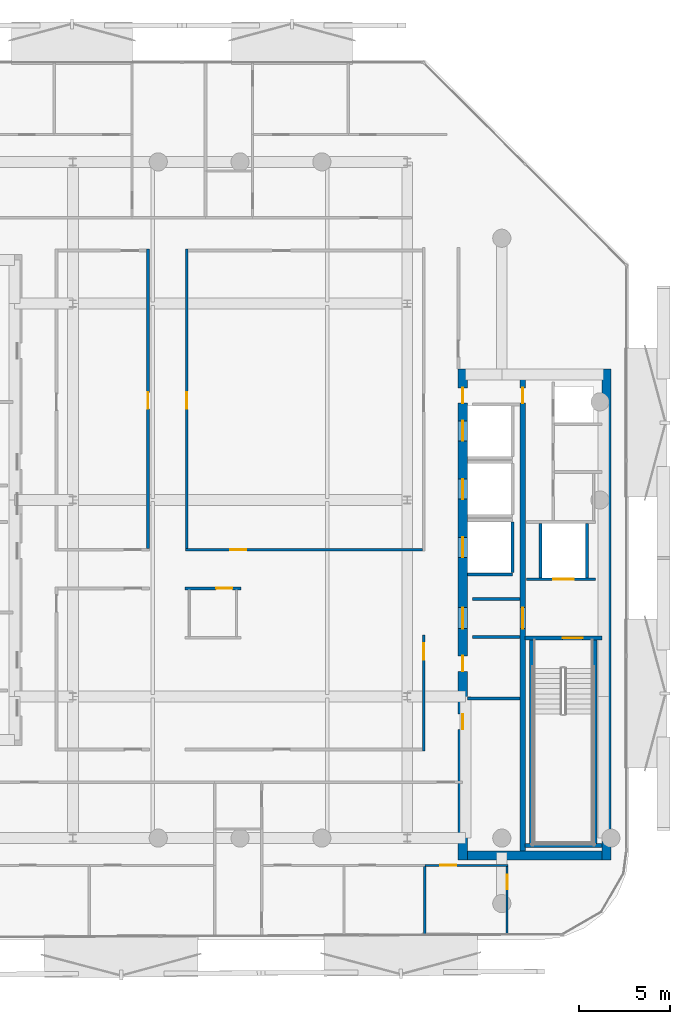
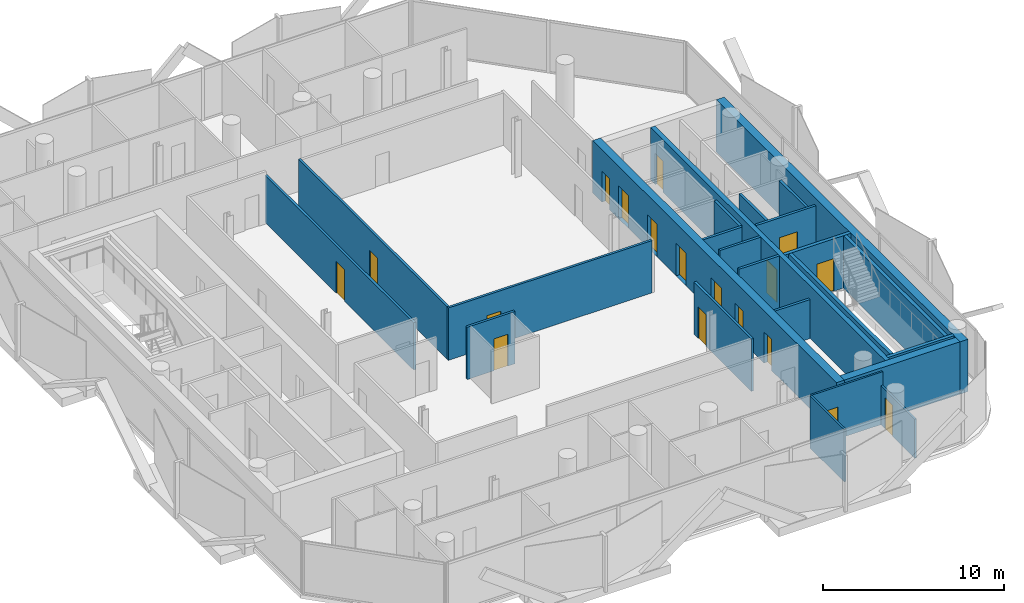
# One storey, part 6 of 15: 24 walls, 18 doors, 18 openings.
"""IFC4 building model written with IfcOpenShell, lengths in metres."""

from ifc_helpers import new_model, si_unit, direction, frame, frame_2d, origin, place, context, subcontext, project, spatial, rectangle, extrude, material, layer, layer_set, type_object, element, fill, save


model = new_model("IFC4")

# Units and contexts
model_context = context("Model", 3, precision=1e-05, world=origin(), true_north=direction((0.0, 1.0)))
body_context = subcontext(model_context, "Body", "Model", "MODEL_VIEW")
ifc_project = project(units=[si_unit("LENGTHUNIT", "METRE"), si_unit("AREAUNIT", "SQUARE_METRE"), si_unit("VOLUMEUNIT", "CUBIC_METRE"), si_unit("PLANEANGLEUNIT", "RADIAN"), si_unit("MASSUNIT", "GRAM", prefix="KILO")], contexts=[model_context])

# Site, building, storey
site_placement = place(None, origin())
site = spatial("IfcSite", under=ifc_project, at=site_placement, CompositionType="ELEMENT")
building_placement = place(site_placement, origin())
building = spatial("IfcBuilding", under=site, at=building_placement, Name="Khairoan Windgate Tower", CompositionType="ELEMENT")
storey_placement = place(building_placement, frame((0.0, 0.0, 285.199951171875)))
storey = spatial("IfcBuildingStorey", under=building, at=storey_placement, Name="L68", CompositionType="ELEMENT", Elevation=285.199951171875)

# Walls
ifc_material_1 = material(Name="Concrete C40/50", Category="concrete")
ifc_layer_1 = layer(ifc_material_1, 0.159912109375, Name="Concrete C40/50")
ifc_layer_set_1 = layer_set([ifc_layer_1], Name="Concrete C40/50")
wall_type_1 = type_object("IfcWallType", Name="Core and Hoistway Enclosure Wall", PredefinedType="STANDARD", material=ifc_layer_set_1)
wall_1_placement = place(storey_placement, frame((12.5, -4.090087890625, 0.0), z_axis=(0.0, 0.0, 1.0), x_axis=(1.0, 0.0, 0.0)))
element("IfcWall", 1, at=wall_1_placement, inside=storey, type_object=wall_type_1, Name="L68 Lift PL9 Hoistway Divider S", PredefinedType="STANDARD", context=body_context, shape_type="SweptSolid", body=[
    extrude(rectangle(XDim=2.489990234375, YDim=0.159912109375, at=frame_2d((1.2451171875, 0.0))), origin(), (0.0, 0.0, 1.0), 3.5400390625),
])
wall_2_placement = place(storey_placement, frame((14.989990234375, -4.0, 0.0), z_axis=(0.0, 0.0, 1.0), x_axis=(0.0, 1.0, 0.0)))
element("IfcWall", 2, at=wall_2_placement, inside=storey, type_object=wall_type_1, Name="L68 Lift PL9 Hoistway Back Wall", PredefinedType="STANDARD", context=body_context, shape_type="SweptSolid", body=[
    extrude(rectangle(XDim=2.800048828125, YDim=0.159912109375, at=frame_2d((1.39990234375, 0.0))), origin(), (0.0, 0.0, 1.0), 3.5400390625),
])

# Wall, opening, door
wall_3_placement = place(storey_placement, frame((15.75, -4.360107421875, 0.0), z_axis=(0.0, 0.0, 1.0), x_axis=(1.0, 0.0, 0.0)))
wall_3 = element("IfcWall", 3, at=wall_3_placement, inside=storey, type_object=wall_type_1, Name="L68 Core Shaft Wall SW-FL1-L68", PredefinedType="STANDARD", context=body_context, shape_type="SweptSolid", body=[
    extrude(rectangle(XDim=3.800048828125, YDim=0.159912109375, at=frame_2d((1.89990234375, 0.0))), origin(), (0.0, 0.0, 1.0), 3.5400390625),
])
opening_1_placement = place(wall_3_placement, frame((1.469970703125, 0.0, 0.0)))
opening_1 = element("IfcOpeningElement", 4, at=opening_1_placement, cuts=wall_3, Name="Opening LD-FL", PredefinedType="OPENING", context=body_context, shape_type="SweptSolid", body=[
    extrude(rectangle(XDim=1.14990234375, YDim=2.199951171875, at=frame_2d((0.574951171875, 1.10009765625))), frame((0.0, 0.08984375, 0.0), z_axis=(0.0, -1.0, 0.0), x_axis=(1.0, 0.0, 0.0)), (0.0, 0.0, 1.0), 0.179931640625),
])
ifc_material_2 = material(Name="Steel S355", Category="steel")
door_type_1 = type_object("IfcDoorType", Name="Firefighting Lift Sliding Landing Door LD-FL 1150x2200", OperationType="DOUBLE_DOOR_SLIDING", PredefinedType="DOOR", material=ifc_material_2)
door_1_placement = place(opening_1_placement, origin())
door_1 = element("IfcDoor", 5, at=door_1_placement, inside=storey, type_object=door_type_1, Name="L68 Firefighting Lift FL1 Landing Door", OperationType="DOUBLE_DOOR_SLIDING", OverallHeight=2.199951171875, OverallWidth=1.14990234375, PredefinedType="DOOR", context=body_context, shape_type="SweptSolid", body=[
    extrude(rectangle(XDim=1.14990234375, YDim=2.199951171875, at=frame_2d((0.574951171875, 1.10009765625))), frame((0.0, 0.02490234375, 0.0), z_axis=(0.0, -1.0, 0.0), x_axis=(1.0, 0.0, 0.0)), (0.0, 0.0, 1.0), 0.050048828125),
])
fill(opening_1, door_1)

# Walls
for number, where, z_axis, x_axis, name in (
    (6, (16.52001953125, -4.280029296875, 0.0), (0.0, 0.0, 1.0), (0.0, 1.0, 0.0), "L68 Core Shaft Wall SW-FL1W-L68"),
    (7, (19.080078125, -4.280029296875, 0.0), (0.0, 0.0, 1.0), (0.0, 1.0, 0.0), "L68 Core Shaft Wall SW-FL1E-L68"),
):
    element("IfcWall", number, at=place(storey_placement, frame(where, z_axis=z_axis, x_axis=x_axis)), inside=storey, type_object=wall_type_1, Name=name, PredefinedType="STANDARD", context=body_context, shape_type="SweptSolid", body=[
        extrude(rectangle(XDim=2.97998046875, YDim=0.159912109375, at=frame_2d((1.489990234375, 0.0))), origin(), (0.0, 0.0, 1.0), 3.5400390625),
    ])
for number, where, z_axis, x_axis, name in (
    (8, (12.800048828125, -5.449951171875, 0.0), (0.0, 0.0, 1.0), (1.0, 0.0, 0.0), "L68 Core Shaft Wall SW-EV1-L68"),
    (9, (12.800048828125, -7.5400390625, 0.0), (0.0, 0.0, 1.0), (1.0, 0.0, 0.0), "L68 Core Shaft Wall SW-EV2-L68"),
):
    element("IfcWall", number, at=place(storey_placement, frame(where, z_axis=z_axis, x_axis=x_axis)), inside=storey, type_object=wall_type_1, Name=name, PredefinedType="STANDARD", context=body_context, shape_type="SweptSolid", body=[
        extrude(rectangle(XDim=2.599853515625, YDim=0.159912109375, at=frame_2d((1.2998046875, 0.0))), origin(), (0.0, 0.0, 1.0), 3.5400390625),
    ])

# Wall, opening, door
ifc_material_3 = material(Name="Gypsum Stud Partition", Category="gypsum")
ifc_layer_2 = layer(ifc_material_3, 0.1201171875, Name="Gypsum Stud Partition")
ifc_layer_set_2 = layer_set([ifc_layer_2], Name="Gypsum Stud Partition")
wall_type_2 = type_object("IfcWallType", Name="Internal Room Partition Wall", PredefinedType="PARTITIONING", material=ifc_layer_set_2)
wall_4_placement = place(storey_placement, frame((10.1630859375, -20.10009765625, 0.0), z_axis=(0.0, 0.0, 1.0), x_axis=(1.0, 0.0, 0.0)))
wall_4 = element("IfcWall", 10, at=wall_4_placement, inside=storey, type_object=wall_type_2, Name="L68 Interior Partition 072", PredefinedType="PARTITIONING", context=body_context, shape_type="SweptSolid", body=[
    extrude(rectangle(XDim=4.5869140625, YDim=0.1201171875, at=frame_2d((2.29345703125, 0.0))), origin(), (0.0, 0.0, 1.0), 3.5400390625),
])
opening_2_placement = place(wall_4_placement, frame((0.861083984375, 0.0, 0.0)))
opening_2 = element("IfcOpeningElement", 11, at=opening_2_placement, cuts=wall_4, Name="Opening ID-RM", PredefinedType="OPENING", context=body_context, shape_type="SweptSolid", body=[
    extrude(rectangle(XDim=0.860107421875, YDim=2.14990234375, at=frame_2d((0.43017578125, 1.074951171875))), frame((0.0, 0.070068359375, 0.0), z_axis=(0.0, -1.0, 0.0), x_axis=(1.0, 0.0, 0.0)), (0.0, 0.0, 1.0), 0.14013671875),
])
ifc_material_4 = material(Name="Teak Veneer Timber Leaf", Category="wood")
door_type_2 = type_object("IfcDoorType", Name="Internal Bedroom and Office Door ID-RM 860x2150", OperationType="NOTDEFINED", PredefinedType="DOOR", material=ifc_material_4)
door_2_placement = place(opening_2_placement, origin())
door_2 = element("IfcDoor", 12, at=door_2_placement, inside=storey, type_object=door_type_2, Name="L68 L68-52-L68-56 Door", OperationType="SINGLE_SWING_RIGHT", OverallHeight=2.14990234375, OverallWidth=0.860107421875, PredefinedType="DOOR", context=body_context, shape_type="SweptSolid", body=[
    extrude(rectangle(XDim=0.860107421875, YDim=2.14990234375, at=frame_2d((0.43017578125, 1.074951171875))), frame((0.0, 0.02490234375, 0.0), z_axis=(0.0, -1.0, 0.0), x_axis=(1.0, 0.0, 0.0)), (0.0, 0.0, 1.0), 0.050048828125),
])
fill(opening_2, door_2)

wall_5_placement = place(storey_placement, frame((14.68994140625, -23.906494140625, 0.0), z_axis=(0.0, 0.0, 1.0), x_axis=(0.0, 1.0, 0.0)))
wall_5 = element("IfcWall", 13, at=wall_5_placement, inside=storey, type_object=wall_type_2, Name="L68 Interior Partition 073", PredefinedType="PARTITIONING", context=body_context, shape_type="SweptSolid", body=[
    extrude(rectangle(XDim=3.74658203125, YDim=0.1201171875, at=frame_2d((1.873291015625, 0.0))), origin(), (0.0, 0.0, 1.0), 2.64013671875),
])
opening_3_placement = place(wall_5_placement, frame((2.486572265625, 0.0, 0.0)))
opening_3 = element("IfcOpeningElement", 14, at=opening_3_placement, cuts=wall_5, Name="Opening ID-BTH", PredefinedType="OPENING", context=body_context, shape_type="SweptSolid", body=[
    extrude(rectangle(XDim=0.800048828125, YDim=2.10009765625, at=frame_2d((0.39990234375, 1.050048828125))), frame((0.0, 0.070068359375, 0.0), z_axis=(0.0, -1.0, 0.0), x_axis=(1.0, 0.0, 0.0)), (0.0, 0.0, 1.0), 0.14013671875),
])
ifc_material_5 = material(Name="Teak Veneer Timber Leaf", Category="wood")
door_type_3 = type_object("IfcDoorType", Name="Internal Bathroom Door ID-BTH 800x2100", OperationType="NOTDEFINED", PredefinedType="DOOR", material=ifc_material_5)
door_3_placement = place(opening_3_placement, origin())
door_3 = element("IfcDoor", 15, at=door_3_placement, inside=storey, type_object=door_type_3, Name="L68 L68-53-L68-56 Door", OperationType="SINGLE_SWING_RIGHT", OverallHeight=2.10009765625, OverallWidth=0.800048828125, PredefinedType="DOOR", context=body_context, shape_type="SweptSolid", body=[
    extrude(rectangle(XDim=0.800048828125, YDim=2.10009765625, at=frame_2d((0.39990234375, 1.050048828125))), frame((0.0, 0.02490234375, 0.0), z_axis=(0.0, -1.0, 0.0), x_axis=(1.0, 0.0, 0.0)), (0.0, 0.0, 1.0), 0.050048828125),
])
fill(opening_3, door_3)

# Walls
wall_6_placement = place(storey_placement, frame((10.1630859375, -23.928955078125, 0.0), z_axis=(0.0, 0.0, 1.0), x_axis=(0.0, 1.0, 0.0)))
element("IfcWall", 16, at=wall_6_placement, inside=storey, type_object=wall_type_2, Name="L68 Interior Partition 075", PredefinedType="PARTITIONING", context=body_context, shape_type="SweptSolid", body=[
    extrude(rectangle(XDim=3.76904296875, YDim=0.1201171875, at=frame_2d((1.884521484375, 0.0))), origin(), (0.0, 0.0, 1.0), 3.5400390625),
])
ifc_material_6 = material(Name="Concrete C40/50", Category="concrete")
ifc_layer_3 = layer(ifc_material_6, 0.159912109375, Name="Concrete C40/50")
ifc_layer_set_3 = layer_set([ifc_layer_3], Name="Concrete C40/50")
wall_type_3 = type_object("IfcWallType", Name="Plant and Refuge Compartment Wall", PredefinedType="PARTITIONING", material=ifc_layer_set_3)
wall_7_placement = place(storey_placement, frame((12.5, -10.919921875, 0.0), z_axis=(0.0, 0.0, 1.0), x_axis=(1.0, 0.0, 0.0)))
element("IfcWall", 17, at=wall_7_placement, inside=storey, type_object=wall_type_3, Name="L68 Interior Partition 011", PredefinedType="PARTITIONING", context=body_context, shape_type="SweptSolid", body=[
    extrude(rectangle(XDim=2.89990234375, YDim=0.159912109375, at=frame_2d((1.449951171875, 0.0))), origin(), (0.0, 0.0, 1.0), 2.64013671875),
])

# Wall, opening, door
ifc_material_7 = material(Name="Acoustic Fire-Rated Gypsum Partition", Category="gypsum")
ifc_layer_4 = layer(ifc_material_7, 0.14990234375, Name="Acoustic Fire-Rated Gypsum Partition")
ifc_layer_set_4 = layer_set([ifc_layer_4], Name="Acoustic Fire-Rated Gypsum Partition")
wall_type_4 = type_object("IfcWallType", Name="Rated Corridor Partition Wall", PredefinedType="PARTITIONING", material=ifc_layer_set_4)
wall_8_placement = place(storey_placement, frame((10.10009765625, -13.794921875, 0.0), z_axis=(0.0, 0.0, 1.0), x_axis=(0.0, 1.0, 0.0)))
wall_8 = element("IfcWall", 18, at=wall_8_placement, inside=storey, type_object=wall_type_4, Name="L68 Interior Partition 016", PredefinedType="PARTITIONING", context=body_context, shape_type="SweptSolid", body=[
    extrude(rectangle(XDim=6.375, YDim=0.14990234375, at=frame_2d((3.1875, 0.0))), origin(), (0.0, 0.0, 1.0), 3.5400390625),
])
opening_4_placement = place(wall_8_placement, frame((5.014892578125, 0.0, 0.0)))
opening_4 = element("IfcOpeningElement", 19, at=opening_4_placement, cuts=wall_8, Name="Opening FD-ENT", PredefinedType="OPENING", context=body_context, shape_type="SweptSolid", body=[
    extrude(rectangle(XDim=0.89990234375, YDim=2.14990234375, at=frame_2d((0.449951171875, 1.074951171875))), frame((0.0, 0.0849609375, 0.0), z_axis=(0.0, -1.0, 0.0), x_axis=(1.0, 0.0, 0.0)), (0.0, 0.0, 1.0), 0.169921875),
])
ifc_material_8 = material(Name="Timber Fire-Rated Core", Category="wood")
door_type_4 = type_object("IfcDoorType", Name="Unit and Office Fire Entrance Door FD-ENT 900x2150", OperationType="NOTDEFINED", PredefinedType="DOOR", material=ifc_material_8)
door_4_placement = place(opening_4_placement, origin())
door_4 = element("IfcDoor", 20, at=door_4_placement, inside=storey, type_object=door_type_4, Name="L68 L68-28-L68-62 Door", OperationType="SINGLE_SWING_LEFT", OverallHeight=2.14990234375, OverallWidth=0.89990234375, PredefinedType="DOOR", context=body_context, shape_type="SweptSolid", body=[
    extrude(rectangle(XDim=0.89990234375, YDim=2.14990234375, at=frame_2d((0.449951171875, 1.074951171875))), frame((0.0, 0.02490234375, 0.0), z_axis=(0.0, -1.0, 0.0), x_axis=(1.0, 0.0, 0.0)), (0.0, 0.0, 1.0), 0.050048828125),
])
fill(opening_4, door_4)

wall_9_placement = place(storey_placement, frame((-3.010009765625, -2.735107421875, 0.0), z_axis=(0.0, 0.0, 1.0), x_axis=(1.0, 0.0, 0.0)))
wall_9 = element("IfcWall", 21, at=wall_9_placement, inside=storey, type_object=wall_type_4, Name="L68 Interior Partition 019", PredefinedType="PARTITIONING", context=body_context, shape_type="SweptSolid", body=[
    extrude(rectangle(XDim=13.034912109375, YDim=0.14990234375, at=frame_2d((6.517578125, 0.0))), origin(), (0.0, 0.0, 1.0), 3.5400390625),
])
opening_5_placement = place(wall_9_placement, frame((2.462646484375, 0.0, 0.0)))
opening_5 = element("IfcOpeningElement", 22, at=opening_5_placement, cuts=wall_9, Name="Opening FD-ENT", PredefinedType="OPENING", context=body_context, shape_type="SweptSolid", body=[
    extrude(rectangle(XDim=0.89990234375, YDim=2.14990234375, at=frame_2d((0.449951171875, 1.074951171875))), frame((0.0, 0.0849609375, 0.0), z_axis=(0.0, -1.0, 0.0), x_axis=(1.0, 0.0, 0.0)), (0.0, 0.0, 1.0), 0.169921875),
])
door_5_placement = place(opening_5_placement, origin())
door_5 = element("IfcDoor", 23, at=door_5_placement, inside=storey, type_object=door_type_4, Name="L68 L68-29-L68-60 Door", OperationType="SINGLE_SWING_RIGHT", OverallHeight=2.14990234375, OverallWidth=0.89990234375, PredefinedType="DOOR", context=body_context, shape_type="SweptSolid", body=[
    extrude(rectangle(XDim=0.89990234375, YDim=2.14990234375, at=frame_2d((0.449951171875, 1.074951171875))), frame((0.0, 0.02490234375, 0.0), z_axis=(0.0, -1.0, 0.0), x_axis=(1.0, 0.0, 0.0)), (0.0, 0.0, 1.0), 0.050048828125),
])
fill(opening_5, door_5)

wall_10_placement = place(storey_placement, frame((-3.030029296875, -4.864990234375, 0.0), z_axis=(0.0, 0.0, 1.0), x_axis=(1.0, 0.0, 0.0)))
wall_10 = element("IfcWall", 24, at=wall_10_placement, inside=storey, type_object=wall_type_4, Name="L68 Interior Partition 020", PredefinedType="PARTITIONING", context=body_context, shape_type="SweptSolid", body=[
    extrude(rectangle(XDim=3.070068359375, YDim=0.14990234375, at=frame_2d((1.53515625, 0.0))), origin(), (0.0, 0.0, 1.0), 3.5400390625),
])
opening_6_placement = place(wall_10_placement, frame((1.7099609375, 0.0, 0.0)))
opening_6 = element("IfcOpeningElement", 25, at=opening_6_placement, cuts=wall_10, Name="Opening FD-ENT", PredefinedType="OPENING", context=body_context, shape_type="SweptSolid", body=[
    extrude(rectangle(XDim=0.89990234375, YDim=2.14990234375, at=frame_2d((0.449951171875, 1.074951171875))), frame((0.0, 0.0849609375, 0.0), z_axis=(0.0, -1.0, 0.0), x_axis=(1.0, 0.0, 0.0)), (0.0, 0.0, 1.0), 0.169921875),
])
door_6_placement = place(opening_6_placement, origin())
door_6 = element("IfcDoor", 26, at=door_6_placement, inside=storey, type_object=door_type_4, Name="L68 L68-29-L68-61 Door", OperationType="SINGLE_SWING_LEFT", OverallHeight=2.14990234375, OverallWidth=0.89990234375, PredefinedType="DOOR", context=body_context, shape_type="SweptSolid", body=[
    extrude(rectangle(XDim=0.89990234375, YDim=2.14990234375, at=frame_2d((0.449951171875, 1.074951171875))), frame((0.0, 0.02490234375, 0.0), z_axis=(0.0, -1.0, 0.0), x_axis=(1.0, 0.0, 0.0)), (0.0, 0.0, 1.0), 0.050048828125),
])
fill(opening_6, door_6)

wall_11_placement = place(storey_placement, frame((-5.06494140625, -2.659912109375, 0.0), z_axis=(0.0, 0.0, 1.0), x_axis=(0.0, 1.0, 0.0)))
wall_11 = element("IfcWall", 27, at=wall_11_placement, inside=storey, type_object=wall_type_4, Name="L68 Interior Partition 021", PredefinedType="PARTITIONING", context=body_context, shape_type="SweptSolid", body=[
    extrude(rectangle(XDim=16.454833984375, YDim=0.14990234375, at=frame_2d((8.2275390625, 0.0))), origin(), (0.0, 0.0, 1.0), 3.18994140625),
])
opening_7_placement = place(wall_11_placement, frame((7.67724609375, 0.0, 0.0)))
opening_7 = element("IfcOpeningElement", 28, at=opening_7_placement, cuts=wall_11, Name="Opening FD-ENT", PredefinedType="OPENING", context=body_context, shape_type="SweptSolid", body=[
    extrude(rectangle(XDim=0.89990234375, YDim=2.14990234375, at=frame_2d((0.449951171875, 1.074951171875))), frame((0.0, 0.0849609375, 0.0), z_axis=(0.0, -1.0, 0.0), x_axis=(1.0, 0.0, 0.0)), (0.0, 0.0, 1.0), 0.169921875),
])
door_7_placement = place(opening_7_placement, origin())
door_7 = element("IfcDoor", 29, at=door_7_placement, inside=storey, type_object=door_type_4, Name="L68 L68-30-L68-58 Door", OperationType="SINGLE_SWING_RIGHT", OverallHeight=2.14990234375, OverallWidth=0.89990234375, PredefinedType="DOOR", context=body_context, shape_type="SweptSolid", body=[
    extrude(rectangle(XDim=0.89990234375, YDim=2.14990234375, at=frame_2d((0.449951171875, 1.074951171875))), frame((0.0, 0.02490234375, 0.0), z_axis=(0.0, -1.0, 0.0), x_axis=(1.0, 0.0, 0.0)), (0.0, 0.0, 1.0), 0.050048828125),
])
fill(opening_7, door_7)

wall_12_placement = place(storey_placement, frame((-2.93505859375, -2.659912109375, 0.0), z_axis=(0.0, 0.0, 1.0), x_axis=(0.0, 1.0, 0.0)))
wall_12 = element("IfcWall", 30, at=wall_12_placement, inside=storey, type_object=wall_type_4, Name="L68 Interior Partition 022", PredefinedType="PARTITIONING", context=body_context, shape_type="SweptSolid", body=[
    extrude(rectangle(XDim=16.454833984375, YDim=0.14990234375, at=frame_2d((8.2275390625, 0.0))), origin(), (0.0, 0.0, 1.0), 3.5400390625),
])
opening_8_placement = place(wall_12_placement, frame((7.67724609375, 0.0, 0.0)))
opening_8 = element("IfcOpeningElement", 31, at=opening_8_placement, cuts=wall_12, Name="Opening FD-ENT", PredefinedType="OPENING", context=body_context, shape_type="SweptSolid", body=[
    extrude(rectangle(XDim=0.89990234375, YDim=2.14990234375, at=frame_2d((0.449951171875, 1.074951171875))), frame((0.0, 0.0849609375, 0.0), z_axis=(0.0, -1.0, 0.0), x_axis=(1.0, 0.0, 0.0)), (0.0, 0.0, 1.0), 0.169921875),
])
door_8_placement = place(opening_8_placement, origin())
door_8 = element("IfcDoor", 32, at=door_8_placement, inside=storey, type_object=door_type_4, Name="L68 L68-30-L68-60 Door", OperationType="SINGLE_SWING_LEFT", OverallHeight=2.14990234375, OverallWidth=0.89990234375, PredefinedType="DOOR", context=body_context, shape_type="SweptSolid", body=[
    extrude(rectangle(XDim=0.89990234375, YDim=2.14990234375, at=frame_2d((0.449951171875, 1.074951171875))), frame((0.0, 0.02490234375, 0.0), z_axis=(0.0, -1.0, 0.0), x_axis=(1.0, 0.0, 0.0)), (0.0, 0.0, 1.0), 0.050048828125),
])
fill(opening_8, door_8)

# Wall, openings, doors
ifc_material_9 = material(Name="Concrete C50/60", Category="concrete")
ifc_layer_5 = layer(ifc_material_9, 0.5, Name="Concrete C50/60")
ifc_layer_set_5 = layer_set([ifc_layer_5], Name="Concrete C50/60")
wall_type_5 = type_object("IfcWallType", Name="Shear Wall CW-E3 500mm", PredefinedType="SHEAR", material=ifc_layer_set_5)
wall_13_placement = place(storey_placement, frame((12.25, -19.800048828125, 0.0), z_axis=(0.0, 0.0, 1.0), x_axis=(0.0, 1.0, 0.0)))
wall_13 = element("IfcWall", 33, at=wall_13_placement, inside=storey, type_object=wall_type_5, Name="E Core West Shear Wall L68", PredefinedType="SHEAR", context=body_context, shape_type="SweptSolid", body=[
    extrude(rectangle(XDim=27.0, YDim=0.5, at=frame_2d((13.5, 0.0))), origin(), (0.0, 0.0, 1.0), 3.5400390625),
])
opening_9_placement = place(wall_13_placement, frame((23.050048828125, 0.0, 0.0)))
opening_9 = element("IfcOpeningElement", 34, at=opening_9_placement, cuts=wall_13, Name="Opening LD-PL", PredefinedType="OPENING", context=body_context, shape_type="SweptSolid", body=[
    extrude(rectangle(XDim=1.10009765625, YDim=2.199951171875, at=frame_2d((0.550048828125, 1.10009765625))), frame((0.0, 0.260009765625, 0.0), z_axis=(0.0, -1.0, 0.0), x_axis=(1.0, 0.0, 0.0)), (0.0, 0.0, 1.0), 0.52001953125),
])
opening_10_placement = place(wall_13_placement, frame((19.85009765625, 0.0, 0.0)))
opening_10 = element("IfcOpeningElement", 35, at=opening_10_placement, cuts=wall_13, Name="Opening LD-PL", PredefinedType="OPENING", context=body_context, shape_type="SweptSolid", body=[
    extrude(rectangle(XDim=1.10009765625, YDim=2.199951171875, at=frame_2d((0.550048828125, 1.10009765625))), frame((0.0, 0.260009765625, 0.0), z_axis=(0.0, -1.0, 0.0), x_axis=(1.0, 0.0, 0.0)), (0.0, 0.0, 1.0), 0.52001953125),
])
opening_11_placement = place(wall_13_placement, frame((16.64990234375, 0.0, 0.0)))
opening_11 = element("IfcOpeningElement", 36, at=opening_11_placement, cuts=wall_13, Name="Opening LD-PL", PredefinedType="OPENING", context=body_context, shape_type="SweptSolid", body=[
    extrude(rectangle(XDim=1.10009765625, YDim=2.199951171875, at=frame_2d((0.550048828125, 1.10009765625))), frame((0.0, 0.260009765625, 0.0), z_axis=(0.0, -1.0, 0.0), x_axis=(1.0, 0.0, 0.0)), (0.0, 0.0, 1.0), 0.52001953125),
])
opening_12_placement = place(wall_13_placement, frame((7.175048828125, 0.0, 0.0)))
opening_12 = element("IfcOpeningElement", 37, at=opening_12_placement, cuts=wall_13, Name="Opening FD-SRV", PredefinedType="OPENING", context=body_context, shape_type="SweptSolid", body=[
    extrude(rectangle(XDim=0.85009765625, YDim=2.10009765625, at=frame_2d((0.425048828125, 1.050048828125))), frame((0.0, 0.260009765625, 0.0), z_axis=(0.0, -1.0, 0.0), x_axis=(1.0, 0.0, 0.0)), (0.0, 0.0, 1.0), 0.52001953125),
])
opening_13_placement = place(wall_13_placement, frame((10.375, 0.0, 0.0)))
opening_13 = element("IfcOpeningElement", 38, at=opening_13_placement, cuts=wall_13, Name="Opening FD-SRV", PredefinedType="OPENING", context=body_context, shape_type="SweptSolid", body=[
    extrude(rectangle(XDim=0.85009765625, YDim=2.10009765625, at=frame_2d((0.425048828125, 1.050048828125))), frame((0.0, 0.260009765625, 0.0), z_axis=(0.0, -1.0, 0.0), x_axis=(1.0, 0.0, 0.0)), (0.0, 0.0, 1.0), 0.52001953125),
])
opening_14_placement = place(wall_13_placement, frame((12.72509765625, 0.0, 0.0)))
opening_14 = element("IfcOpeningElement", 39, at=opening_14_placement, cuts=wall_13, Name="Opening FD-FFL", PredefinedType="OPENING", context=body_context, shape_type="SweptSolid", body=[
    extrude(rectangle(XDim=1.14990234375, YDim=2.199951171875, at=frame_2d((0.574951171875, 1.10009765625))), frame((0.0, 0.260009765625, 0.0), z_axis=(0.0, -1.0, 0.0), x_axis=(1.0, 0.0, 0.0)), (0.0, 0.0, 1.0), 0.52001953125),
])
opening_15_placement = place(wall_13_placement, frame((25.125, 0.0, 0.0)))
opening_15 = element("IfcOpeningElement", 40, at=opening_15_placement, cuts=wall_13, Name="Opening FD-SRV", PredefinedType="OPENING", context=body_context, shape_type="SweptSolid", body=[
    extrude(rectangle(XDim=0.85009765625, YDim=2.10009765625, at=frame_2d((0.425048828125, 1.050048828125))), frame((0.0, 0.260009765625, 0.0), z_axis=(0.0, -1.0, 0.0), x_axis=(1.0, 0.0, 0.0)), (0.0, 0.0, 1.0), 0.52001953125),
])
ifc_material_10 = material(Name="Steel S355", Category="steel")
door_type_5 = type_object("IfcDoorType", Name="Core Service and Riser Fire Door FD-SRV 850x2100", OperationType="NOTDEFINED", PredefinedType="DOOR", material=ifc_material_10)
door_9_placement = place(opening_12_placement, origin())
door_9 = element("IfcDoor", 41, at=door_9_placement, inside=storey, type_object=door_type_5, Name="L68 East Core Service Room Door 1", OperationType="SINGLE_SWING_RIGHT", OverallHeight=2.10009765625, OverallWidth=0.85009765625, PredefinedType="DOOR", context=body_context, shape_type="SweptSolid", body=[
    extrude(rectangle(XDim=0.85009765625, YDim=2.10009765625, at=frame_2d((0.425048828125, 1.050048828125))), frame((0.0, 0.02490234375, 0.0), z_axis=(0.0, -1.0, 0.0), x_axis=(1.0, 0.0, 0.0)), (0.0, 0.0, 1.0), 0.050048828125),
])
fill(opening_12, door_9)
door_10_placement = place(opening_13_placement, origin())
door_10 = element("IfcDoor", 42, at=door_10_placement, inside=storey, type_object=door_type_5, Name="L68 East Core Service Room Door 2", OperationType="SINGLE_SWING_LEFT", OverallHeight=2.10009765625, OverallWidth=0.85009765625, PredefinedType="DOOR", context=body_context, shape_type="SweptSolid", body=[
    extrude(rectangle(XDim=0.85009765625, YDim=2.10009765625, at=frame_2d((0.425048828125, 1.050048828125))), frame((0.0, 0.02490234375, 0.0), z_axis=(0.0, -1.0, 0.0), x_axis=(1.0, 0.0, 0.0)), (0.0, 0.0, 1.0), 0.050048828125),
])
fill(opening_13, door_10)
door_11_placement = place(opening_15_placement, origin())
door_11 = element("IfcDoor", 43, at=door_11_placement, inside=storey, type_object=door_type_5, Name="L68 East Core Service Vestibule Outer Door", OperationType="SINGLE_SWING_RIGHT", OverallHeight=2.10009765625, OverallWidth=0.85009765625, PredefinedType="DOOR", context=body_context, shape_type="SweptSolid", body=[
    extrude(rectangle(XDim=0.85009765625, YDim=2.10009765625, at=frame_2d((0.425048828125, 1.050048828125))), frame((0.0, 0.02490234375, 0.0), z_axis=(0.0, -1.0, 0.0), x_axis=(1.0, 0.0, 0.0)), (0.0, 0.0, 1.0), 0.050048828125),
])
fill(opening_15, door_11)
ifc_material_11 = material(Name="Steel S355", Category="steel")
door_type_6 = type_object("IfcDoorType", Name="Firefighting Lobby Fire Door FD-FFL 1150x2200", OperationType="NOTDEFINED", PredefinedType="DOOR", material=ifc_material_11)
door_12_placement = place(opening_14_placement, origin())
door_12 = element("IfcDoor", 44, at=door_12_placement, inside=storey, type_object=door_type_6, Name="L68 East Core Vestibule Entry Door", OperationType="SINGLE_SWING_RIGHT", OverallHeight=2.199951171875, OverallWidth=1.14990234375, PredefinedType="DOOR", context=body_context, shape_type="SweptSolid", body=[
    extrude(rectangle(XDim=1.14990234375, YDim=2.199951171875, at=frame_2d((0.574951171875, 1.10009765625))), frame((0.0, 0.02490234375, 0.0), z_axis=(0.0, -1.0, 0.0), x_axis=(1.0, 0.0, 0.0)), (0.0, 0.0, 1.0), 0.050048828125),
])
fill(opening_14, door_12)
ifc_material_12 = material(Name="Anodised Bronze Aluminium 6063-T6", Category="aluminium")
door_type_7 = type_object("IfcDoorType", Name="Passenger Lift Sliding Landing Door LD-PL 1100x2200", OperationType="DOUBLE_DOOR_SLIDING", PredefinedType="DOOR", material=ifc_material_12)
door_13_placement = place(opening_9_placement, origin())
door_13 = element("IfcDoor", 45, at=door_13_placement, inside=storey, type_object=door_type_7, Name="L68 Lift PL7 Sliding Landing Door", OperationType="DOUBLE_DOOR_SLIDING", OverallHeight=2.199951171875, OverallWidth=1.10009765625, PredefinedType="DOOR", context=body_context, shape_type="SweptSolid", body=[
    extrude(rectangle(XDim=1.10009765625, YDim=2.199951171875, at=frame_2d((0.550048828125, 1.10009765625))), frame((0.0, 0.02490234375, 0.0), z_axis=(0.0, -1.0, 0.0), x_axis=(1.0, 0.0, 0.0)), (0.0, 0.0, 1.0), 0.050048828125),
])
fill(opening_9, door_13)
door_14_placement = place(opening_10_placement, origin())
door_14 = element("IfcDoor", 46, at=door_14_placement, inside=storey, type_object=door_type_7, Name="L68 Lift PL8 Sliding Landing Door", OperationType="DOUBLE_DOOR_SLIDING", OverallHeight=2.199951171875, OverallWidth=1.10009765625, PredefinedType="DOOR", context=body_context, shape_type="SweptSolid", body=[
    extrude(rectangle(XDim=1.10009765625, YDim=2.199951171875, at=frame_2d((0.550048828125, 1.10009765625))), frame((0.0, 0.02490234375, 0.0), z_axis=(0.0, -1.0, 0.0), x_axis=(1.0, 0.0, 0.0)), (0.0, 0.0, 1.0), 0.050048828125),
])
fill(opening_10, door_14)
door_15_placement = place(opening_11_placement, origin())
door_15 = element("IfcDoor", 47, at=door_15_placement, inside=storey, type_object=door_type_7, Name="L68 Lift PL9 Sliding Landing Door", OperationType="DOUBLE_DOOR_SLIDING", OverallHeight=2.199951171875, OverallWidth=1.10009765625, PredefinedType="DOOR", context=body_context, shape_type="SweptSolid", body=[
    extrude(rectangle(XDim=1.10009765625, YDim=2.199951171875, at=frame_2d((0.550048828125, 1.10009765625))), frame((0.0, 0.02490234375, 0.0), z_axis=(0.0, -1.0, 0.0), x_axis=(1.0, 0.0, 0.0)), (0.0, 0.0, 1.0), 0.050048828125),
])
fill(opening_11, door_15)

# Walls
wall_14_placement = place(storey_placement, frame((20.14990234375, -19.800048828125, 0.0), z_axis=(0.0, 0.0, 1.0), x_axis=(0.0, 1.0, 0.0)))
element("IfcWall", 48, at=wall_14_placement, inside=storey, type_object=wall_type_5, Name="E Core East Shear Wall L68", PredefinedType="SHEAR", context=body_context, shape_type="SweptSolid", body=[
    extrude(rectangle(XDim=27.0, YDim=0.5, at=frame_2d((13.5, 0.0))), origin(), (0.0, 0.0, 1.0), 3.5400390625),
])
wall_15_placement = place(storey_placement, frame((12.5, -19.550048828125, 0.0), z_axis=(0.0, 0.0, 1.0), x_axis=(1.0, 0.0, 0.0)))
element("IfcWall", 49, at=wall_15_placement, inside=storey, type_object=wall_type_5, Name="E Core South Shear Wall L68", PredefinedType="SHEAR", context=body_context, shape_type="SweptSolid", body=[
    extrude(rectangle(XDim=7.39990234375, YDim=0.5, at=frame_2d((3.699951171875, 0.0))), origin(), (0.0, 0.0, 1.0), 3.5400390625),
])

# Wall, openings, doors
ifc_material_13 = material(Name="Concrete C50/60", Category="concrete")
ifc_layer_6 = layer(ifc_material_13, 0.300048828125, Name="Concrete C50/60")
ifc_layer_set_6 = layer_set([ifc_layer_6], Name="Concrete C50/60")
wall_type_6 = type_object("IfcWallType", Name="Shear Wall SW-2 300mm", PredefinedType="SHEAR", material=ifc_layer_set_6)
wall_16_placement = place(storey_placement, frame((15.550048828125, -19.300048828125, 0.0), z_axis=(0.0, 0.0, 1.0), x_axis=(0.0, 1.0, 0.0)))
wall_16 = element("IfcWall", 50, at=wall_16_placement, inside=storey, type_object=wall_type_6, Name="E Core Spine Shear Wall L68", PredefinedType="SHEAR", context=body_context, shape_type="SweptSolid", body=[
    extrude(rectangle(XDim=26.0, YDim=0.300048828125, at=frame_2d((13.0, 0.0))), origin(), (0.0, 0.0, 1.0), 3.5400390625),
])
opening_16_placement = place(wall_16_placement, frame((12.22509765625, 0.0, 0.0)))
opening_16 = element("IfcOpeningElement", 51, at=opening_16_placement, cuts=wall_16, Name="Opening FD-FFL", PredefinedType="OPENING", context=body_context, shape_type="SweptSolid", body=[
    extrude(rectangle(XDim=1.14990234375, YDim=2.199951171875, at=frame_2d((0.574951171875, 1.10009765625))), frame((0.0, 0.159912109375, 0.0), z_axis=(0.0, -1.0, 0.0), x_axis=(1.0, 0.0, 0.0)), (0.0, 0.0, 1.0), 0.320068359375),
])
opening_17_placement = place(wall_16_placement, frame((24.625, 0.0, 0.0)))
opening_17 = element("IfcOpeningElement", 52, at=opening_17_placement, cuts=wall_16, Name="Opening FD-SRV", PredefinedType="OPENING", context=body_context, shape_type="SweptSolid", body=[
    extrude(rectangle(XDim=0.85009765625, YDim=2.10009765625, at=frame_2d((0.425048828125, 1.050048828125))), frame((0.0, 0.159912109375, 0.0), z_axis=(0.0, -1.0, 0.0), x_axis=(1.0, 0.0, 0.0)), (0.0, 0.0, 1.0), 0.320068359375),
])
door_16_placement = place(opening_17_placement, origin())
door_16 = element("IfcDoor", 53, at=door_16_placement, inside=storey, type_object=door_type_5, Name="L68 East Core Service Passage Inner Door", OperationType="SINGLE_SWING_LEFT", OverallHeight=2.10009765625, OverallWidth=0.85009765625, PredefinedType="DOOR", context=body_context, shape_type="SweptSolid", body=[
    extrude(rectangle(XDim=0.85009765625, YDim=2.10009765625, at=frame_2d((0.425048828125, 1.050048828125))), frame((0.0, 0.02490234375, 0.0), z_axis=(0.0, -1.0, 0.0), x_axis=(1.0, 0.0, 0.0)), (0.0, 0.0, 1.0), 0.050048828125),
])
fill(opening_17, door_16)
door_17_placement = place(opening_16_placement, origin())
door_17 = element("IfcDoor", 54, at=door_17_placement, inside=storey, type_object=door_type_6, Name="L68 East Firefighting Lobby Fire Door", OperationType="SINGLE_SWING_LEFT", OverallHeight=2.199951171875, OverallWidth=1.14990234375, PredefinedType="DOOR", context=body_context, shape_type="SweptSolid", body=[
    extrude(rectangle(XDim=1.14990234375, YDim=2.199951171875, at=frame_2d((0.574951171875, 1.10009765625))), frame((0.0, 0.02490234375, 0.0), z_axis=(0.0, -1.0, 0.0), x_axis=(1.0, 0.0, 0.0)), (0.0, 0.0, 1.0), 0.050048828125),
])
fill(opening_16, door_17)

# Walls
ifc_material_14 = material(Name="Concrete C50/60", Category="concrete")
ifc_layer_7 = layer(ifc_material_14, 0.219970703125, Name="Concrete C50/60")
ifc_layer_set_7 = layer_set([ifc_layer_7], Name="Concrete C50/60")
wall_type_7 = type_object("IfcWallType", Name="Shear Wall SW-ST 220mm", PredefinedType="SHEAR", material=ifc_layer_set_7)
for number, where, z_axis, x_axis, name in (
    (55, (16.0400390625, -19.010009765625, 0.0), (0.0, 0.0, 1.0), (0.0, 1.0, 0.0), "L68 Stair ST1 West Bearing Wall"),
    (56, (19.530029296875, -19.010009765625, 0.0), (0.0, 0.0, 1.0), (0.0, 1.0, 0.0), "L68 Stair ST1 East Bearing Wall"),
):
    element("IfcWall", number, at=place(storey_placement, frame(where, z_axis=z_axis, x_axis=x_axis)), inside=storey, type_object=wall_type_7, Name=name, PredefinedType="SHEAR", context=body_context, shape_type="SweptSolid", body=[
        extrude(rectangle(XDim=11.419921875, YDim=0.219970703125, at=frame_2d((5.7099609375, 0.0))), origin(), (0.0, 0.0, 1.0), 3.5400390625),
    ])
wall_17_placement = place(storey_placement, frame((15.679931640625, -19.010009765625, 0.0), z_axis=(0.0, 0.0, 1.0), x_axis=(1.0, 0.0, 0.0)))
element("IfcWall", 57, at=wall_17_placement, inside=storey, type_object=wall_type_7, Name="L68 Stair ST1 South Bearing Wall", PredefinedType="SHEAR", context=body_context, shape_type="SweptSolid", body=[
    extrude(rectangle(XDim=4.239990234375, YDim=0.219970703125, at=frame_2d((2.1201171875, 0.0))), origin(), (0.0, 0.0, 1.0), 3.5400390625),
])

# Wall, opening, door
wall_18_placement = place(storey_placement, frame((19.919921875, -7.590087890625, 0.0), z_axis=(0.0, 0.0, 1.0), x_axis=(-1.0, 0.0, 0.0)))
wall_18 = element("IfcWall", 58, at=wall_18_placement, inside=storey, type_object=wall_type_7, Name="L68 Stair ST1 North Bearing Wall", PredefinedType="SHEAR", context=body_context, shape_type="SweptSolid", body=[
    extrude(rectangle(XDim=4.239990234375, YDim=0.219970703125, at=frame_2d((2.1201171875, 0.0))), origin(), (0.0, 0.0, 1.0), 3.5400390625),
])
opening_18_placement = place(wall_18_placement, frame((1.080078125, 0.0, 0.0)))
opening_18 = element("IfcOpeningElement", 59, at=opening_18_placement, cuts=wall_18, Name="Opening FD-ST", PredefinedType="OPENING", context=body_context, shape_type="SweptSolid", body=[
    extrude(rectangle(XDim=1.10009765625, YDim=2.199951171875, at=frame_2d((0.550048828125, 1.10009765625))), frame((0.0, 0.119873046875, 0.0), z_axis=(0.0, -1.0, 0.0), x_axis=(1.0, 0.0, 0.0)), (0.0, 0.0, 1.0), 0.239990234375),
])
ifc_material_15 = material(Name="Steel S355", Category="steel")
door_type_8 = type_object("IfcDoorType", Name="Smokeproof Stair Fire Door FD-ST 1100x2200", OperationType="NOTDEFINED", PredefinedType="DOOR", material=ifc_material_15)
door_18_placement = place(opening_18_placement, origin())
door_18 = element("IfcDoor", 60, at=door_18_placement, inside=storey, type_object=door_type_8, Name="L68 Stair ST1 Fire Door", OperationType="SINGLE_SWING_RIGHT", OverallHeight=2.199951171875, OverallWidth=1.10009765625, PredefinedType="DOOR", context=body_context, shape_type="SweptSolid", body=[
    extrude(rectangle(XDim=1.10009765625, YDim=2.199951171875, at=frame_2d((0.550048828125, 1.10009765625))), frame((0.0, 0.02490234375, 0.0), z_axis=(0.0, -1.0, 0.0), x_axis=(1.0, 0.0, 0.0)), (0.0, 0.0, 1.0), 0.050048828125),
])
fill(opening_18, door_18)

save(model, "model.ifc")
